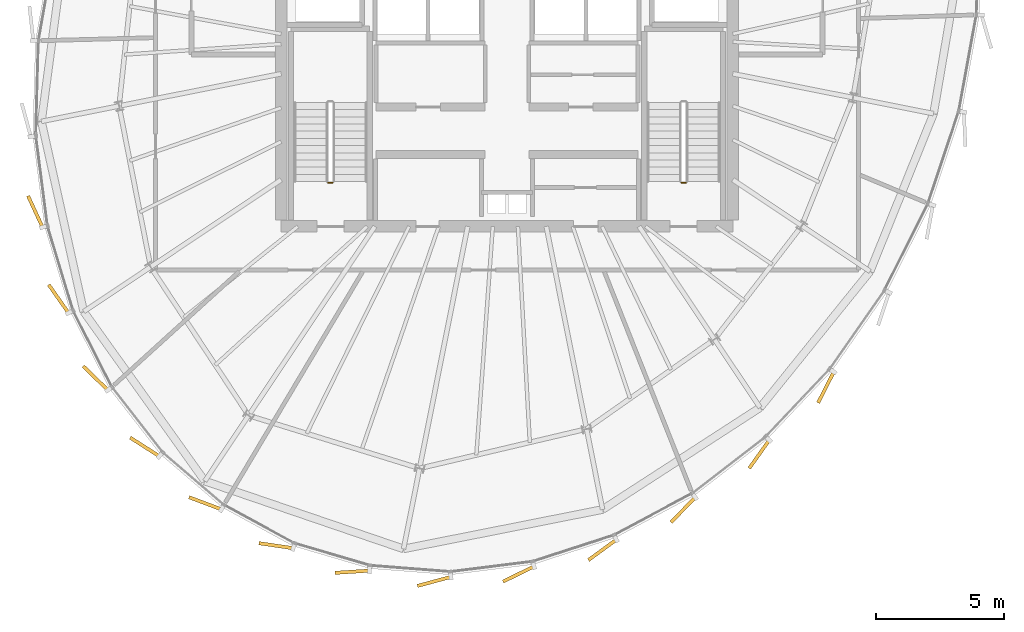
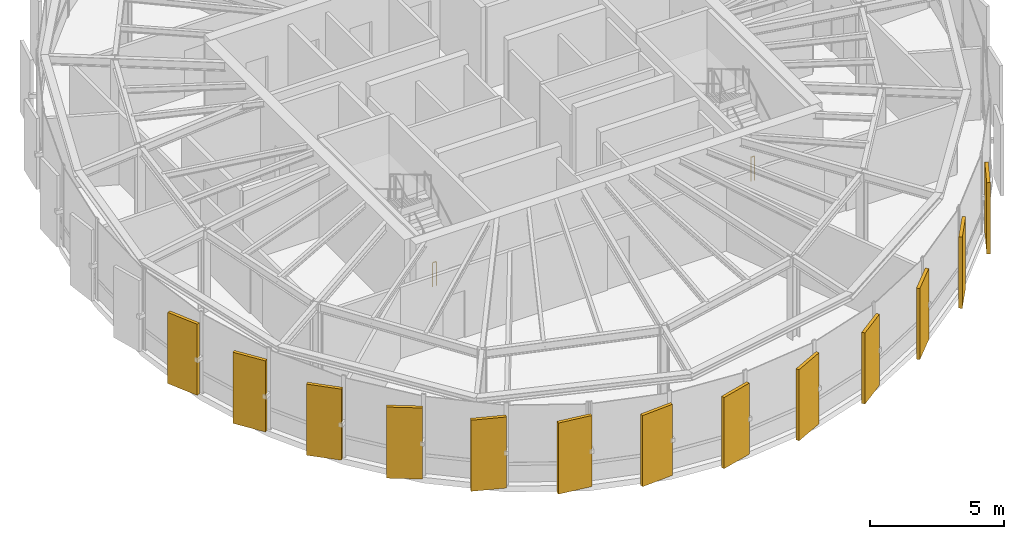
# One storey, part 23 of 25: 13 coverings, 2 railings.
"""IFC4 building model written with IfcOpenShell, lengths in metres."""

from ifc_helpers import new_model, si_unit, direction, frame, origin, origin_2d, place, context, subcontext, project, spatial, rectangle, circle, extrude, source, transform, mapped, material, layer, layer_set, type_object, element, save


model = new_model("IFC4")

# Units and contexts
model_context = context("Model", 3, precision=1e-05, world=origin(), true_north=direction((0.0, 1.0)))
body_context = subcontext(model_context, "Body", "Model", "MODEL_VIEW")
ifc_project = project(units=[si_unit("LENGTHUNIT", "METRE"), si_unit("AREAUNIT", "SQUARE_METRE"), si_unit("VOLUMEUNIT", "CUBIC_METRE"), si_unit("PLANEANGLEUNIT", "RADIAN"), si_unit("MASSUNIT", "GRAM", prefix="KILO"), si_unit("THERMODYNAMICTEMPERATUREUNIT", "KELVIN")], contexts=[model_context])

# Site, building, storey
site_placement = place(None, origin())
site = spatial("IfcSite", under=ifc_project, at=site_placement, CompositionType="ELEMENT")
building_placement = place(site_placement, origin())
building = spatial("IfcBuilding", under=site, at=building_placement, Name="Kethvar Cultural Tower", CompositionType="ELEMENT")
storey_placement = place(building_placement, frame((0.0, 0.0, 304.300048828125)))
storey = spatial("IfcBuildingStorey", under=building, at=storey_placement, Name="L81", CompositionType="ELEMENT", Elevation=304.300048828125)

# Railings
ifc_material_1 = material(Name="Steel S355J2", Category="steel")
railing_type = type_object("IfcRailingType", Name="RL-STAIR-GUARD", PredefinedType="BALUSTRADE", material=ifc_material_1)
for number, where, name in (
    (1, (40.0, 21.800048828125, 0.0), "L81 ST-01 stair guard 4"),
    (2, (53.760009765625, 21.800048828125, 0.0), "L81 ST-02 stair guard 4"),
):
    element("IfcRailing", number, at=place(storey_placement, frame(where)), inside=storey, type_object=railing_type, Name=name, PredefinedType="BALUSTRADE", context=body_context, shape_type="SweptSolid", body=[
        extrude(circle(Radius=0.02392578125, at=origin_2d()), frame((0.0, 0.0, 1.09619140625), z_axis=(-1.0, 0.0, 0.0), x_axis=(0.0, -1.0, 0.0)), (0.0, 0.0, 1.0), 0.159912109375),
        extrude(circle(Radius=0.02099609375, at=origin_2d()), origin(), (0.0, 0.0, 1.0), 1.072021484375),
        extrude(circle(Radius=0.02099609375, at=origin_2d()), frame((-0.159912109375, 0.0, 0.0)), (0.0, 0.0, 1.0), 1.072021484375),
    ])

# Coverings
ifc_material_2 = material(Name="Extruded Architectural Terracotta", Category="masonry")
ifc_layer = layer(ifc_material_2, 0.135009765625, Name="Extruded Architectural Terracotta", Category="masonry")
ifc_layer_set = layer_set([ifc_layer], Name="Extruded Architectural Terracotta (135 mm)")
covering_type = type_object("IfcCoveringType", Name="Terracotta Facade Fin FIN-03", PredefinedType="CLADDING", material=ifc_layer_set)
shared_shape = source(origin(), body_context, "Body", "SweptSolid", [
    extrude(rectangle(XDim=1.35009765625, YDim=0.135009765625, at=origin_2d()), origin(), (0.0, 0.0, 1.0), 3.25),
])
for number, where, z_axis, x_axis, name in (
    (3, (28.4189453125, 20.677734375, 0.02001953125), (0.0, 0.0, 1.0), (-0.420085728412, 0.907484424541, 0.0), "L81 Vertical Terracotta Fin 3.2"),
    (4, (29.327880859375, 17.277587890625, 0.02001953125), (0.0, 0.0, 1.0), (-0.573576436351, 0.819152044289, 0.0), "L81 Vertical Terracotta Fin 3.3"),
    (5, (30.76318359375, 14.18994140625, 0.02001953125), (0.0, 0.0, 1.0), (-0.717761820252, 0.696288711231, 0.0), "L81 Vertical Terracotta Fin 3.4"),
    (6, (32.68505859375, 11.50634765625, 0.02001953125), (0.0, 0.0, 1.0), (-0.842452397007, 0.538770785007, 0.0), "L81 Vertical Terracotta Fin 3.5"),
    (7, (35.04052734375, 9.309326171875, 0.02001953125), (0.0, 0.0, 1.0), (-0.936120929434, 0.351678269838, 0.0), "L81 Vertical Terracotta Fin 3.6"),
    (8, (37.802734375, 7.65771484375, 0.02001953125), (0.0, 0.0, 1.0), (-0.989246821597, 0.146255686931, 0.0), "L81 Vertical Terracotta Fin 4.1"),
    (9, (40.768310546875, 6.643310546875, 0.02001953125), (0.0, 0.0, 1.0), (-0.998026728428, -0.062790519529, 0.0), "L81 Vertical Terracotta Fin 4.2"),
    (10, (43.964599609375, 6.26708984375, 0.02001953125), (0.0, 0.0, 1.0), (-0.965336098699, -0.261009993198, 0.0), "L81 Vertical Terracotta Fin 4.3"),
    (11, (47.249267578125, 6.55419921875, 0.02001953125), (0.0, 0.0, 1.0), (-0.898794046299, -0.438371146789, 0.0), "L81 Vertical Terracotta Fin 4.4"),
    (12, (50.517333984375, 7.4951171875, 0.02001953125), (0.0, 0.0, 1.0), (-0.807372435998, -0.590042159163, 0.0), "L81 Vertical Terracotta Fin 4.5"),
    (13, (53.66650390625, 9.058349609375, 0.02001953125), (0.0, 0.0, 1.0), (-0.699164374023, -0.714960962638, 0.0), "L81 Vertical Terracotta Fin 4.6"),
    (14, (56.62939453125, 11.223388671875, 0.02001953125), (0.0, 0.0, 1.0), (-0.579565670322, -0.814925538797, 0.0), "L81 Vertical Terracotta Fin 5.1"),
    (15, (59.2294921875, 13.829345703125, 0.02001953125), (0.0, 0.0, 1.0), (-0.45227905439, -0.891876480775, 0.0), "L81 Vertical Terracotta Fin 5.2"),
):
    element("IfcCovering", number, at=place(storey_placement, frame(where, z_axis=z_axis, x_axis=x_axis)), inside=storey, type_object=covering_type, Name=name, PredefinedType="CLADDING", context=body_context, shape_type="MappedRepresentation", body=[
        mapped(shared_shape, transform((0.0, 0.0, 0.0), scale=1.0)),
    ])

save(model, "model.ifc")
